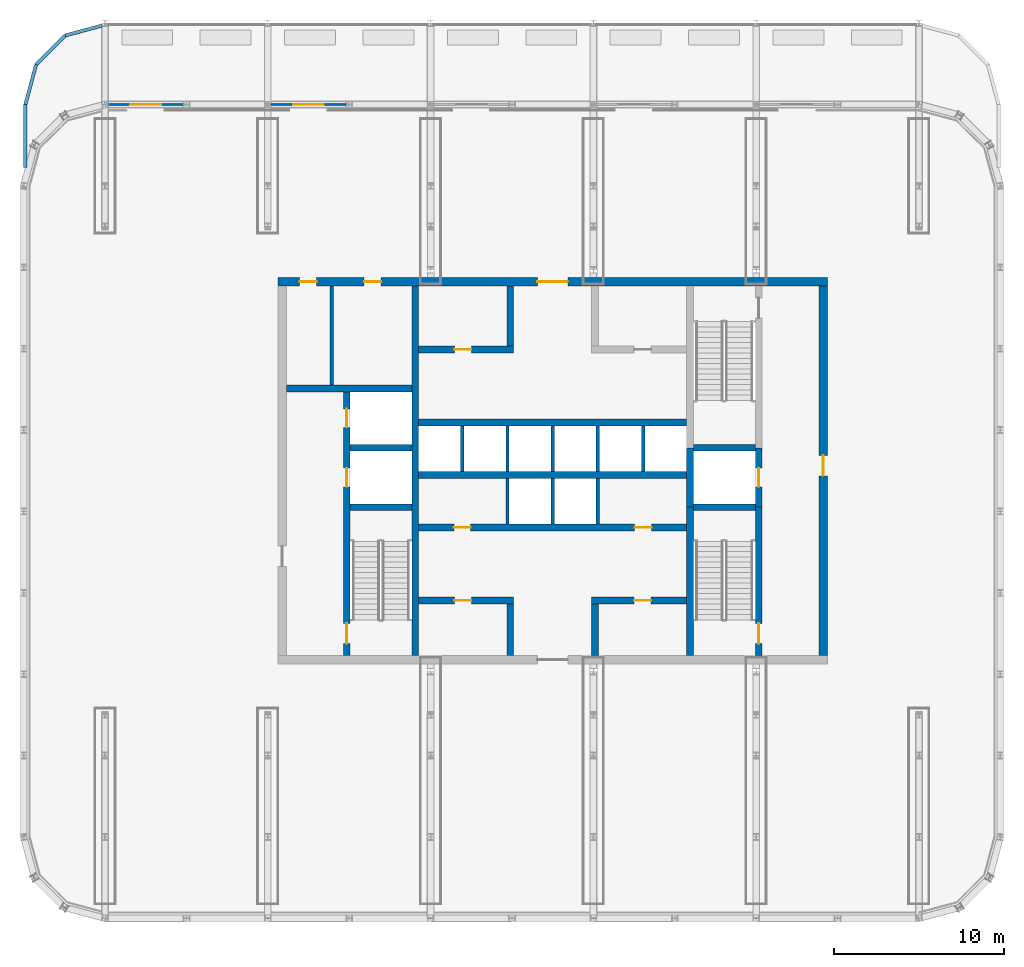
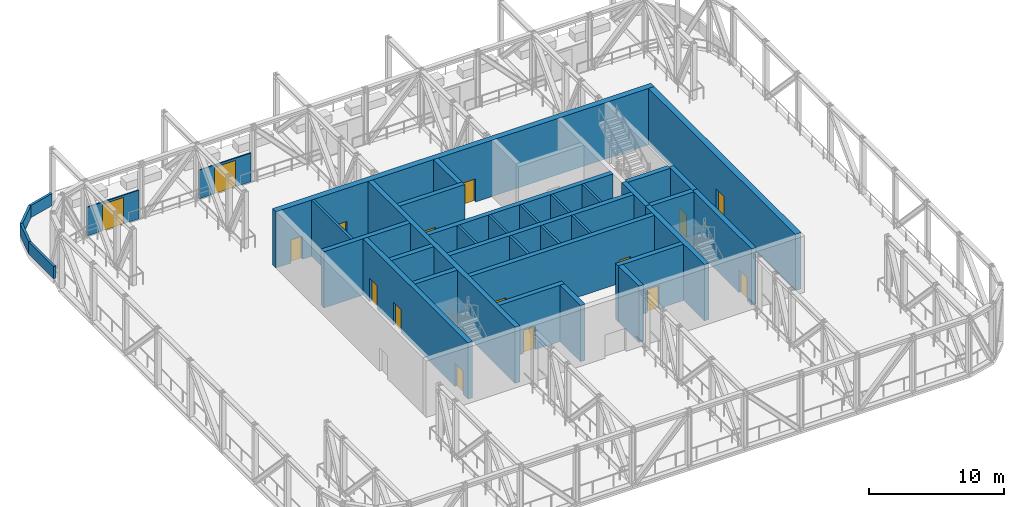
# One storey, part 9 of 16: 37 walls, 16 doors, 16 openings.
"""IFC4 building model written with IfcOpenShell, lengths in metres."""

from ifc_helpers import new_model, si_unit, direction, frame, frame_2d, origin, place, context, subcontext, project, spatial, rectangle, extrude, material, layer, layer_set, type_object, element, fill, save


model = new_model("IFC4")

# Units and contexts
model_context = context("Model", 3, precision=1e-05, world=origin(), true_north=direction((0.0, 1.0)))
body_context = subcontext(model_context, "Body", "Model", "MODEL_VIEW")
ifc_project = project(units=[si_unit("LENGTHUNIT", "METRE"), si_unit("AREAUNIT", "SQUARE_METRE"), si_unit("VOLUMEUNIT", "CUBIC_METRE"), si_unit("PLANEANGLEUNIT", "RADIAN"), si_unit("MASSUNIT", "GRAM", prefix="KILO")], contexts=[model_context])

# Site, building, storey
site_placement = place(None, origin())
site = spatial("IfcSite", under=ifc_project, at=site_placement, CompositionType="ELEMENT")
building_placement = place(site_placement, origin())
building = spatial("IfcBuilding", under=site, at=building_placement, Name="Madar Terraces", CompositionType="ELEMENT")
storey_placement = place(building_placement, frame((0.0, 0.0, 263.199951171875)))
storey = spatial("IfcBuildingStorey", under=building, at=storey_placement, Name="L69", CompositionType="ELEMENT", Elevation=263.199951171875)

# Wall, openings, doors
ifc_material_1 = material(Name="Concrete C50/60", Category="concrete")
ifc_layer_1 = layer(ifc_material_1, 0.39990234375)
ifc_layer_set_1 = layer_set([ifc_layer_1], Name="Concrete C50/60 (CIW6 RC wall 400)")
wall_type_1 = type_object("IfcWallType", Name="CIW6 RC wall 400", PredefinedType="SHEAR", material=ifc_layer_set_1)
wall_1_placement = place(storey_placement, frame((19.050048828125, 15.5, 0.0), z_axis=(0.0, 0.0, 1.0), x_axis=(0.0, 1.0, 0.0)))
wall_1 = element("IfcWall", 1, at=wall_1_placement, inside=storey, type_object=wall_type_1, Name="CORE SHAFT WALL", PredefinedType="SHEAR", context=body_context, shape_type="SweptSolid", body=[
    extrude(rectangle(XDim=15.550048828125, YDim=0.39990234375, at=frame_2d((7.77490234375, 0.0))), origin(), (0.0, 0.0, 1.0), 5.10009765625),
])
opening_1_placement = place(wall_1_placement, frame((9.949951171875, 0.0, 0.0)))
opening_1 = element("IfcOpeningElement", 2, at=opening_1_placement, cuts=wall_1, Name="Opening LD", PredefinedType="OPENING", context=body_context, shape_type="SweptSolid", body=[
    extrude(rectangle(XDim=1.10009765625, YDim=2.10009765625, at=frame_2d((0.550048828125, 1.050048828125))), frame((0.0, 0.2099609375, 0.0), z_axis=(0.0, -1.0, 0.0), x_axis=(1.0, 0.0, 0.0)), (0.0, 0.0, 1.0), 0.419921875),
])
opening_2_placement = place(wall_1_placement, frame((13.449951171875, 0.0, 0.0)))
opening_2 = element("IfcOpeningElement", 3, at=opening_2_placement, cuts=wall_1, Name="Opening LD", PredefinedType="OPENING", context=body_context, shape_type="SweptSolid", body=[
    extrude(rectangle(XDim=1.10009765625, YDim=2.10009765625, at=frame_2d((0.550048828125, 1.050048828125))), frame((0.0, 0.2099609375, 0.0), z_axis=(0.0, -1.0, 0.0), x_axis=(1.0, 0.0, 0.0)), (0.0, 0.0, 1.0), 0.419921875),
])
opening_3_placement = place(wall_1_placement, frame((0.699951171875, 0.0, 0.0)))
opening_3 = element("IfcOpeningElement", 4, at=opening_3_placement, cuts=wall_1, Name="Opening SD1", PredefinedType="OPENING", context=body_context, shape_type="SweptSolid", body=[
    extrude(rectangle(XDim=1.199951171875, YDim=2.10009765625, at=frame_2d((0.60009765625, 1.050048828125))), frame((0.0, 0.2099609375, 0.0), z_axis=(0.0, -1.0, 0.0), x_axis=(1.0, 0.0, 0.0)), (0.0, 0.0, 1.0), 0.419921875),
])
ifc_material_2 = material(Name="Stainless steel panel", Category="steel")
door_type_1 = type_object("IfcDoorType", Name="Lift landing door 1100 x 2100", OperationType="DOUBLE_DOOR_SLIDING", PredefinedType="DOOR", material=ifc_material_2)
door_1_placement = place(opening_1_placement, origin())
door_1 = element("IfcDoor", 5, at=door_1_placement, inside=storey, type_object=door_type_1, Name="LIFT LANDING DOOR", OperationType="DOUBLE_DOOR_SLIDING", OverallHeight=2.10009765625, OverallWidth=1.10009765625, PredefinedType="DOOR", context=body_context, shape_type="SweptSolid", body=[
    extrude(rectangle(XDim=1.10009765625, YDim=2.10009765625, at=frame_2d((0.550048828125, 1.050048828125))), frame((0.0, 0.02490234375, 0.0), z_axis=(0.0, -1.0, 0.0), x_axis=(1.0, 0.0, 0.0)), (0.0, 0.0, 1.0), 0.050048828125),
])
fill(opening_1, door_1)
door_2_placement = place(opening_2_placement, origin())
door_2 = element("IfcDoor", 6, at=door_2_placement, inside=storey, type_object=door_type_1, Name="LIFT LANDING DOOR", OperationType="DOUBLE_DOOR_SLIDING", OverallHeight=2.10009765625, OverallWidth=1.10009765625, PredefinedType="DOOR", context=body_context, shape_type="SweptSolid", body=[
    extrude(rectangle(XDim=1.10009765625, YDim=2.10009765625, at=frame_2d((0.550048828125, 1.050048828125))), frame((0.0, 0.02490234375, 0.0), z_axis=(0.0, -1.0, 0.0), x_axis=(1.0, 0.0, 0.0)), (0.0, 0.0, 1.0), 0.050048828125),
])
fill(opening_2, door_2)
ifc_material_3 = material(Name="Steel door leaf", Category="steel")
door_type_2 = type_object("IfcDoorType", Name="Stair door 1200 x 2100", OperationType="NOTDEFINED", PredefinedType="DOOR", material=ifc_material_3)
door_3_placement = place(opening_3_placement, frame((1.199951171875, 0.0, 0.0), z_axis=(0.0, 0.0, 1.0), x_axis=(-1.0, 0.0, 0.0)))
door_3 = element("IfcDoor", 7, at=door_3_placement, inside=storey, type_object=door_type_2, Name="STAIR DOOR", OperationType="SINGLE_SWING_LEFT", OverallHeight=2.10009765625, OverallWidth=1.199951171875, PredefinedType="DOOR", context=body_context, shape_type="SweptSolid", body=[
    extrude(rectangle(XDim=1.199951171875, YDim=2.10009765625, at=frame_2d((0.60009765625, 1.050048828125))), frame((0.0, 0.02490234375, 0.0), z_axis=(0.0, -1.0, 0.0), x_axis=(1.0, 0.0, 0.0)), (0.0, 0.0, 1.0), 0.050048828125),
])
fill(opening_3, door_3)

# Walls
wall_2_placement = place(storey_placement, frame((23.10009765625, 15.5, 0.0), z_axis=(0.0, 0.0, 1.0), x_axis=(0.0, 1.0, 0.0)))
element("IfcWall", 8, at=wall_2_placement, inside=storey, type_object=wall_type_1, Name="CORE SHAFT WALL", PredefinedType="SHEAR", context=body_context, shape_type="SweptSolid", body=[
    extrude(rectangle(XDim=21.800048828125, YDim=0.39990234375, at=frame_2d((10.89990234375, 0.0))), origin(), (0.0, 0.0, 1.0), 5.10009765625),
])
wall_3_placement = place(storey_placement, frame((39.300048828125, 15.5, 0.0), z_axis=(0.0, 0.0, 1.0), x_axis=(0.0, 1.0, 0.0)))
element("IfcWall", 9, at=wall_3_placement, inside=storey, type_object=wall_type_1, Name="CORE SHAFT WALL", PredefinedType="SHEAR", context=body_context, shape_type="SweptSolid", body=[
    extrude(rectangle(XDim=8.75, YDim=0.39990234375, at=frame_2d((4.375, 0.0))), origin(), (0.0, 0.0, 1.0), 5.10009765625),
])
wall_4_placement = place(storey_placement, frame((39.300048828125, 24.25, 0.0), z_axis=(0.0, 0.0, 1.0), x_axis=(0.0, 1.0, 0.0)))
element("IfcWall", 10, at=wall_4_placement, inside=storey, type_object=wall_type_1, Name="CORE SHAFT WALL", PredefinedType="SHEAR", context=body_context, shape_type="SweptSolid", body=[
    extrude(rectangle(XDim=3.5, YDim=0.39990234375, at=frame_2d((1.75, 0.0))), origin(), (0.0, 0.0, 1.0), 5.10009765625),
])

# Wall, opening, door
wall_5_placement = place(storey_placement, frame((43.35009765625, 15.5, 0.0), z_axis=(0.0, 0.0, 1.0), x_axis=(0.0, 1.0, 0.0)))
wall_5 = element("IfcWall", 11, at=wall_5_placement, inside=storey, type_object=wall_type_1, Name="CORE SHAFT WALL", PredefinedType="SHEAR", context=body_context, shape_type="SweptSolid", body=[
    extrude(rectangle(XDim=8.75, YDim=0.39990234375, at=frame_2d((4.375, 0.0))), origin(), (0.0, 0.0, 1.0), 5.10009765625),
])
opening_4_placement = place(wall_5_placement, frame((0.699951171875, 0.0, 0.0)))
opening_4 = element("IfcOpeningElement", 12, at=opening_4_placement, cuts=wall_5, Name="Opening SD1", PredefinedType="OPENING", context=body_context, shape_type="SweptSolid", body=[
    extrude(rectangle(XDim=1.199951171875, YDim=2.10009765625, at=frame_2d((0.60009765625, 1.050048828125))), frame((0.0, 0.2099609375, 0.0), z_axis=(0.0, -1.0, 0.0), x_axis=(1.0, 0.0, 0.0)), (0.0, 0.0, 1.0), 0.419921875),
])
door_4_placement = place(opening_4_placement, origin())
door_4 = element("IfcDoor", 13, at=door_4_placement, inside=storey, type_object=door_type_2, Name="STAIR DOOR", OperationType="SINGLE_SWING_RIGHT", OverallHeight=2.10009765625, OverallWidth=1.199951171875, PredefinedType="DOOR", context=body_context, shape_type="SweptSolid", body=[
    extrude(rectangle(XDim=1.199951171875, YDim=2.10009765625, at=frame_2d((0.60009765625, 1.050048828125))), frame((0.0, 0.02490234375, 0.0), z_axis=(0.0, -1.0, 0.0), x_axis=(1.0, 0.0, 0.0)), (0.0, 0.0, 1.0), 0.050048828125),
])
fill(opening_4, door_4)

wall_6_placement = place(storey_placement, frame((43.35009765625, 24.25, 0.0), z_axis=(0.0, 0.0, 1.0), x_axis=(0.0, 1.0, 0.0)))
wall_6 = element("IfcWall", 14, at=wall_6_placement, inside=storey, type_object=wall_type_1, Name="CORE SHAFT WALL", PredefinedType="SHEAR", context=body_context, shape_type="SweptSolid", body=[
    extrude(rectangle(XDim=3.5, YDim=0.39990234375, at=frame_2d((1.75, 0.0))), origin(), (0.0, 0.0, 1.0), 5.10009765625),
])
opening_5_placement = place(wall_6_placement, frame((1.199951171875, 0.0, 0.0)))
opening_5 = element("IfcOpeningElement", 15, at=opening_5_placement, cuts=wall_6, Name="Opening LD", PredefinedType="OPENING", context=body_context, shape_type="SweptSolid", body=[
    extrude(rectangle(XDim=1.10009765625, YDim=2.10009765625, at=frame_2d((0.550048828125, 1.050048828125))), frame((0.0, 0.2099609375, 0.0), z_axis=(0.0, -1.0, 0.0), x_axis=(1.0, 0.0, 0.0)), (0.0, 0.0, 1.0), 0.419921875),
])
door_5_placement = place(opening_5_placement, origin())
door_5 = element("IfcDoor", 16, at=door_5_placement, inside=storey, type_object=door_type_1, Name="LIFT LANDING DOOR", OperationType="DOUBLE_DOOR_SLIDING", OverallHeight=2.10009765625, OverallWidth=1.10009765625, PredefinedType="DOOR", context=body_context, shape_type="SweptSolid", body=[
    extrude(rectangle(XDim=1.10009765625, YDim=2.10009765625, at=frame_2d((0.550048828125, 1.050048828125))), frame((0.0, 0.02490234375, 0.0), z_axis=(0.0, -1.0, 0.0), x_axis=(1.0, 0.0, 0.0)), (0.0, 0.0, 1.0), 0.050048828125),
])
fill(opening_5, door_5)

# Walls
for number, where, z_axis, x_axis, name in (
    (17, (19.25, 24.25, 0.0), (0.0, 0.0, 1.0), (1.0, 0.0, 0.0), "CORE SHAFT WALL"),
    (18, (19.25, 27.75, 0.0), (0.0, 0.0, 1.0), (1.0, 0.0, 0.0), "CORE SHAFT WALL"),
):
    element("IfcWall", number, at=place(storey_placement, frame(where, z_axis=z_axis, x_axis=x_axis)), inside=storey, type_object=wall_type_1, Name=name, PredefinedType="SHEAR", context=body_context, shape_type="SweptSolid", body=[
        extrude(rectangle(XDim=3.64990234375, YDim=0.39990234375, at=frame_2d((1.824951171875, 0.0))), origin(), (0.0, 0.0, 1.0), 5.10009765625),
    ])
wall_7_placement = place(storey_placement, frame((15.5, 31.25, 0.0), z_axis=(0.0, 0.0, 1.0), x_axis=(1.0, 0.0, 0.0)))
element("IfcWall", 19, at=wall_7_placement, inside=storey, type_object=wall_type_1, Name="CORE SHAFT WALL", PredefinedType="SHEAR", context=body_context, shape_type="SweptSolid", body=[
    extrude(rectangle(XDim=7.39990234375, YDim=0.39990234375, at=frame_2d((3.699951171875, 0.0))), origin(), (0.0, 0.0, 1.0), 5.10009765625),
])
for number, where, z_axis, x_axis, name in (
    (20, (39.5, 24.25, 0.0), (0.0, 0.0, 1.0), (1.0, 0.0, 0.0), "CORE SHAFT WALL"),
    (21, (39.5, 27.75, 0.0), (0.0, 0.0, 1.0), (1.0, 0.0, 0.0), "CORE SHAFT WALL"),
):
    element("IfcWall", number, at=place(storey_placement, frame(where, z_axis=z_axis, x_axis=x_axis)), inside=storey, type_object=wall_type_1, Name=name, PredefinedType="SHEAR", context=body_context, shape_type="SweptSolid", body=[
        extrude(rectangle(XDim=3.64990234375, YDim=0.39990234375, at=frame_2d((1.824951171875, 0.0))), origin(), (0.0, 0.0, 1.0), 5.10009765625),
    ])

# Wall, opening, door
wall_8_placement = place(storey_placement, frame((23.300048828125, 18.75, 0.0), z_axis=(0.0, 0.0, 1.0), x_axis=(1.0, 0.0, 0.0)))
wall_8 = element("IfcWall", 22, at=wall_8_placement, inside=storey, type_object=wall_type_1, Name="CORE SHAFT WALL", PredefinedType="SHEAR", context=body_context, shape_type="SweptSolid", body=[
    extrude(rectangle(XDim=5.599853515625, YDim=0.39990234375, at=frame_2d((2.7998046875, 0.0))), origin(), (0.0, 0.0, 1.0), 5.10009765625),
])
opening_6_placement = place(wall_8_placement, frame((2.10009765625, 0.0, 0.0)))
opening_6 = element("IfcOpeningElement", 23, at=opening_6_placement, cuts=wall_8, Name="Opening KD2", PredefinedType="OPENING", context=body_context, shape_type="SweptSolid", body=[
    extrude(rectangle(XDim=1.0, YDim=2.10009765625, at=frame_2d((0.5, 1.050048828125))), frame((0.0, 0.2099609375, 0.0), z_axis=(0.0, -1.0, 0.0), x_axis=(1.0, 0.0, 0.0)), (0.0, 0.0, 1.0), 0.419921875),
])
ifc_material_4 = material(Name="Steel door leaf", Category="steel")
door_type_3 = type_object("IfcDoorType", Name="Service room door 1000 x 2100", OperationType="NOTDEFINED", PredefinedType="DOOR", material=ifc_material_4)
door_6_placement = place(opening_6_placement, origin())
door_6 = element("IfcDoor", 24, at=door_6_placement, inside=storey, type_object=door_type_3, Name="SERVICE ROOM DOOR", OperationType="SINGLE_SWING_RIGHT", OverallHeight=2.10009765625, OverallWidth=1.0, PredefinedType="DOOR", context=body_context, shape_type="SweptSolid", body=[
    extrude(rectangle(XDim=1.0, YDim=2.10009765625, at=frame_2d((0.5, 1.050048828125))), frame((0.0, 0.02490234375, 0.0), z_axis=(0.0, -1.0, 0.0), x_axis=(1.0, 0.0, 0.0)), (0.0, 0.0, 1.0), 0.050048828125),
])
fill(opening_6, door_6)

wall_9_placement = place(storey_placement, frame((33.5, 18.75, 0.0), z_axis=(0.0, 0.0, 1.0), x_axis=(1.0, 0.0, 0.0)))
wall_9 = element("IfcWall", 25, at=wall_9_placement, inside=storey, type_object=wall_type_1, Name="CORE SHAFT WALL", PredefinedType="SHEAR", context=body_context, shape_type="SweptSolid", body=[
    extrude(rectangle(XDim=5.60009765625, YDim=0.39990234375, at=frame_2d((2.800048828125, 0.0))), origin(), (0.0, 0.0, 1.0), 5.10009765625),
])
opening_7_placement = place(wall_9_placement, frame((2.5, 0.0, 0.0)))
opening_7 = element("IfcOpeningElement", 26, at=opening_7_placement, cuts=wall_9, Name="Opening KD2", PredefinedType="OPENING", context=body_context, shape_type="SweptSolid", body=[
    extrude(rectangle(XDim=1.0, YDim=2.10009765625, at=frame_2d((0.5, 1.050048828125))), frame((0.0, 0.2099609375, 0.0), z_axis=(0.0, -1.0, 0.0), x_axis=(1.0, 0.0, 0.0)), (0.0, 0.0, 1.0), 0.419921875),
])
door_7_placement = place(opening_7_placement, origin())
door_7 = element("IfcDoor", 27, at=door_7_placement, inside=storey, type_object=door_type_3, Name="SERVICE ROOM DOOR", OperationType="SINGLE_SWING_LEFT", OverallHeight=2.10009765625, OverallWidth=1.0, PredefinedType="DOOR", context=body_context, shape_type="SweptSolid", body=[
    extrude(rectangle(XDim=1.0, YDim=2.10009765625, at=frame_2d((0.5, 1.050048828125))), frame((0.0, 0.02490234375, 0.0), z_axis=(0.0, -1.0, 0.0), x_axis=(1.0, 0.0, 0.0)), (0.0, 0.0, 1.0), 0.050048828125),
])
fill(opening_7, door_7)

# Wall, openings, doors
wall_10_placement = place(storey_placement, frame((23.300048828125, 23.050048828125, 0.0), z_axis=(0.0, 0.0, 1.0), x_axis=(1.0, 0.0, 0.0)))
wall_10 = element("IfcWall", 28, at=wall_10_placement, inside=storey, type_object=wall_type_1, Name="CORE SHAFT WALL", PredefinedType="SHEAR", context=body_context, shape_type="SweptSolid", body=[
    extrude(rectangle(XDim=15.800048828125, YDim=0.39990234375, at=frame_2d((7.89990234375, 0.0))), origin(), (0.0, 0.0, 1.0), 5.10009765625),
])
opening_8_placement = place(wall_10_placement, frame((2.066650390625, 0.0, 0.0)))
opening_8 = element("IfcOpeningElement", 29, at=opening_8_placement, cuts=wall_10, Name="Opening KD2", PredefinedType="OPENING", context=body_context, shape_type="SweptSolid", body=[
    extrude(rectangle(XDim=1.0, YDim=2.10009765625, at=frame_2d((0.5, 1.050048828125))), frame((0.0, 0.2099609375, 0.0), z_axis=(0.0, -1.0, 0.0), x_axis=(1.0, 0.0, 0.0)), (0.0, 0.0, 1.0), 0.419921875),
])
opening_9_placement = place(wall_10_placement, frame((12.7333984375, 0.0, 0.0)))
opening_9 = element("IfcOpeningElement", 30, at=opening_9_placement, cuts=wall_10, Name="Opening KD2", PredefinedType="OPENING", context=body_context, shape_type="SweptSolid", body=[
    extrude(rectangle(XDim=1.0, YDim=2.10009765625, at=frame_2d((0.5, 1.050048828125))), frame((0.0, 0.2099609375, 0.0), z_axis=(0.0, -1.0, 0.0), x_axis=(1.0, 0.0, 0.0)), (0.0, 0.0, 1.0), 0.419921875),
])
door_8_placement = place(opening_8_placement, frame((1.0, 0.0, 0.0), z_axis=(0.0, 0.0, 1.0), x_axis=(-1.0, 0.0, 0.0)))
door_8 = element("IfcDoor", 31, at=door_8_placement, inside=storey, type_object=door_type_3, Name="SERVICE ROOM DOOR", OperationType="SINGLE_SWING_RIGHT", OverallHeight=2.10009765625, OverallWidth=1.0, PredefinedType="DOOR", context=body_context, shape_type="SweptSolid", body=[
    extrude(rectangle(XDim=1.0, YDim=2.10009765625, at=frame_2d((0.5, 1.050048828125))), frame((0.0, 0.02490234375, 0.0), z_axis=(0.0, -1.0, 0.0), x_axis=(1.0, 0.0, 0.0)), (0.0, 0.0, 1.0), 0.050048828125),
])
fill(opening_8, door_8)
door_9_placement = place(opening_9_placement, frame((1.0, 0.0, 0.0), z_axis=(0.0, 0.0, 1.0), x_axis=(-1.0, 0.0, 0.0)))
door_9 = element("IfcDoor", 32, at=door_9_placement, inside=storey, type_object=door_type_3, Name="SERVICE ROOM DOOR", OperationType="SINGLE_SWING_LEFT", OverallHeight=2.10009765625, OverallWidth=1.0, PredefinedType="DOOR", context=body_context, shape_type="SweptSolid", body=[
    extrude(rectangle(XDim=1.0, YDim=2.10009765625, at=frame_2d((0.5, 1.050048828125))), frame((0.0, 0.02490234375, 0.0), z_axis=(0.0, -1.0, 0.0), x_axis=(1.0, 0.0, 0.0)), (0.0, 0.0, 1.0), 0.050048828125),
])
fill(opening_9, door_9)

# Walls
for number, where, z_axis, x_axis, name in (
    (33, (23.300048828125, 26.14990234375, 0.0), (0.0, 0.0, 1.0), (1.0, 0.0, 0.0), "CORE SHAFT WALL"),
    (34, (23.300048828125, 29.25, 0.0), (0.0, 0.0, 1.0), (1.0, 0.0, 0.0), "CORE SHAFT WALL"),
):
    element("IfcWall", number, at=place(storey_placement, frame(where, z_axis=z_axis, x_axis=x_axis)), inside=storey, type_object=wall_type_1, Name=name, PredefinedType="SHEAR", context=body_context, shape_type="SweptSolid", body=[
        extrude(rectangle(XDim=15.800048828125, YDim=0.39990234375, at=frame_2d((7.89990234375, 0.0))), origin(), (0.0, 0.0, 1.0), 5.10009765625),
    ])

# Wall, opening, door
wall_11_placement = place(storey_placement, frame((23.300048828125, 33.550048828125, 0.0), z_axis=(0.0, 0.0, 1.0), x_axis=(1.0, 0.0, 0.0)))
wall_11 = element("IfcWall", 35, at=wall_11_placement, inside=storey, type_object=wall_type_1, Name="CORE SHAFT WALL", PredefinedType="SHEAR", context=body_context, shape_type="SweptSolid", body=[
    extrude(rectangle(XDim=5.599853515625, YDim=0.39990234375, at=frame_2d((2.7998046875, 0.0))), origin(), (0.0, 0.0, 1.0), 5.10009765625),
])
opening_10_placement = place(wall_11_placement, frame((2.10009765625, 0.0, 0.0)))
opening_10 = element("IfcOpeningElement", 36, at=opening_10_placement, cuts=wall_11, Name="Opening KD2", PredefinedType="OPENING", context=body_context, shape_type="SweptSolid", body=[
    extrude(rectangle(XDim=1.0, YDim=2.10009765625, at=frame_2d((0.5, 1.050048828125))), frame((0.0, 0.2099609375, 0.0), z_axis=(0.0, -1.0, 0.0), x_axis=(1.0, 0.0, 0.0)), (0.0, 0.0, 1.0), 0.419921875),
])
door_10_placement = place(opening_10_placement, frame((1.0, 0.0, 0.0), z_axis=(0.0, 0.0, 1.0), x_axis=(-1.0, 0.0, 0.0)))
door_10 = element("IfcDoor", 37, at=door_10_placement, inside=storey, type_object=door_type_3, Name="SERVICE ROOM DOOR", OperationType="SINGLE_SWING_RIGHT", OverallHeight=2.10009765625, OverallWidth=1.0, PredefinedType="DOOR", context=body_context, shape_type="SweptSolid", body=[
    extrude(rectangle(XDim=1.0, YDim=2.10009765625, at=frame_2d((0.5, 1.050048828125))), frame((0.0, 0.02490234375, 0.0), z_axis=(0.0, -1.0, 0.0), x_axis=(1.0, 0.0, 0.0)), (0.0, 0.0, 1.0), 0.050048828125),
])
fill(opening_10, door_10)

# Walls
for number, where, z_axis, x_axis, name in (
    (38, (28.699951171875, 15.5, 0.0), (0.0, 0.0, 1.0), (0.0, 1.0, 0.0), "CORE SHAFT WALL"),
    (39, (33.699951171875, 15.5, 0.0), (0.0, 0.0, 1.0), (0.0, 1.0, 0.0), "CORE SHAFT WALL"),
):
    element("IfcWall", number, at=place(storey_placement, frame(where, z_axis=z_axis, x_axis=x_axis)), inside=storey, type_object=wall_type_1, Name=name, PredefinedType="SHEAR", context=body_context, shape_type="SweptSolid", body=[
        extrude(rectangle(XDim=3.050048828125, YDim=0.39990234375, at=frame_2d((1.52490234375, 0.0))), origin(), (0.0, 0.0, 1.0), 5.10009765625),
    ])
wall_12_placement = place(storey_placement, frame((28.699951171875, 33.75, 0.0), z_axis=(0.0, 0.0, 1.0), x_axis=(0.0, 1.0, 0.0)))
element("IfcWall", 40, at=wall_12_placement, inside=storey, type_object=wall_type_1, Name="CORE SHAFT WALL", PredefinedType="SHEAR", context=body_context, shape_type="SweptSolid", body=[
    extrude(rectangle(XDim=3.550048828125, YDim=0.39990234375, at=frame_2d((1.77490234375, 0.0))), origin(), (0.0, 0.0, 1.0), 5.10009765625),
])

# Wall, openings, doors
ifc_material_5 = material(Name="Concrete C50/60", Category="concrete")
ifc_layer_2 = layer(ifc_material_5, 0.5)
ifc_layer_set_2 = layer_set([ifc_layer_2], Name="Concrete C50/60 (CRW6 RC wall 500)")
wall_type_2 = type_object("IfcWallType", Name="CRW6 RC wall 500", PredefinedType="SHEAR", material=ifc_layer_set_2)
wall_13_placement = place(storey_placement, frame((15.0, 37.550048828125, 0.0), z_axis=(0.0, 0.0, 1.0), x_axis=(1.0, 0.0, 0.0)))
wall_13 = element("IfcWall", 41, at=wall_13_placement, inside=storey, type_object=wall_type_2, Name="CORE OUTER WALL", PredefinedType="SHEAR", context=body_context, shape_type="SweptSolid", body=[
    extrude(rectangle(XDim=32.39990234375, YDim=0.5, at=frame_2d((16.199951171875, 0.0))), origin(), (0.0, 0.0, 1.0), 5.10009765625),
])
opening_11_placement = place(wall_13_placement, frame((15.300048828125, 0.0, 0.0)))
opening_11 = element("IfcOpeningElement", 42, at=opening_11_placement, cuts=wall_13, Name="Opening KD1", PredefinedType="OPENING", context=body_context, shape_type="SweptSolid", body=[
    extrude(rectangle(XDim=1.800048828125, YDim=2.10009765625, at=frame_2d((0.89990234375, 1.050048828125))), frame((0.0, 0.260009765625, 0.0), z_axis=(0.0, -1.0, 0.0), x_axis=(1.0, 0.0, 0.0)), (0.0, 0.0, 1.0), 0.52001953125),
])
opening_12_placement = place(wall_13_placement, frame((1.281982421875, 0.0, 0.0)))
opening_12 = element("IfcOpeningElement", 43, at=opening_12_placement, cuts=wall_13, Name="Opening KD2", PredefinedType="OPENING", context=body_context, shape_type="SweptSolid", body=[
    extrude(rectangle(XDim=1.0, YDim=2.10009765625, at=frame_2d((0.5, 1.050048828125))), frame((0.0, 0.260009765625, 0.0), z_axis=(0.0, -1.0, 0.0), x_axis=(1.0, 0.0, 0.0)), (0.0, 0.0, 1.0), 0.52001953125),
])
opening_13_placement = place(wall_13_placement, frame((5.08203125, 0.0, 0.0)))
opening_13 = element("IfcOpeningElement", 44, at=opening_13_placement, cuts=wall_13, Name="Opening KD2", PredefinedType="OPENING", context=body_context, shape_type="SweptSolid", body=[
    extrude(rectangle(XDim=1.0, YDim=2.10009765625, at=frame_2d((0.5, 1.050048828125))), frame((0.0, 0.260009765625, 0.0), z_axis=(0.0, -1.0, 0.0), x_axis=(1.0, 0.0, 0.0)), (0.0, 0.0, 1.0), 0.52001953125),
])
ifc_material_6 = material(Name="Steel door leaf", Category="steel")
door_type_4 = type_object("IfcDoorType", Name="Lobby door pair 1800 x 2100", OperationType="DOUBLE_DOOR_SINGLE_SWING", PredefinedType="DOOR", material=ifc_material_6)
door_11_placement = place(opening_11_placement, origin())
door_11 = element("IfcDoor", 45, at=door_11_placement, inside=storey, type_object=door_type_4, Name="LIFT LOBBY DOOR", OperationType="DOUBLE_DOOR_SINGLE_SWING", OverallHeight=2.10009765625, OverallWidth=1.800048828125, PredefinedType="DOOR", context=body_context, shape_type="SweptSolid", body=[
    extrude(rectangle(XDim=1.800048828125, YDim=2.10009765625, at=frame_2d((0.89990234375, 1.050048828125))), frame((0.0, 0.02490234375, 0.0), z_axis=(0.0, -1.0, 0.0), x_axis=(1.0, 0.0, 0.0)), (0.0, 0.0, 1.0), 0.050048828125),
])
fill(opening_11, door_11)
door_12_placement = place(opening_12_placement, origin())
door_12 = element("IfcDoor", 46, at=door_12_placement, inside=storey, type_object=door_type_3, Name="SERVICE ROOM DOOR", OperationType="SINGLE_SWING_RIGHT", OverallHeight=2.10009765625, OverallWidth=1.0, PredefinedType="DOOR", context=body_context, shape_type="SweptSolid", body=[
    extrude(rectangle(XDim=1.0, YDim=2.10009765625, at=frame_2d((0.5, 1.050048828125))), frame((0.0, 0.02490234375, 0.0), z_axis=(0.0, -1.0, 0.0), x_axis=(1.0, 0.0, 0.0)), (0.0, 0.0, 1.0), 0.050048828125),
])
fill(opening_12, door_12)
door_13_placement = place(opening_13_placement, origin())
door_13 = element("IfcDoor", 47, at=door_13_placement, inside=storey, type_object=door_type_3, Name="SERVICE ROOM DOOR", OperationType="SINGLE_SWING_LEFT", OverallHeight=2.10009765625, OverallWidth=1.0, PredefinedType="DOOR", context=body_context, shape_type="SweptSolid", body=[
    extrude(rectangle(XDim=1.0, YDim=2.10009765625, at=frame_2d((0.5, 1.050048828125))), frame((0.0, 0.02490234375, 0.0), z_axis=(0.0, -1.0, 0.0), x_axis=(1.0, 0.0, 0.0)), (0.0, 0.0, 1.0), 0.050048828125),
])
fill(opening_13, door_13)

# Wall, opening, door
wall_14_placement = place(storey_placement, frame((47.14990234375, 15.5, 0.0), z_axis=(0.0, 0.0, 1.0), x_axis=(0.0, 1.0, 0.0)))
wall_14 = element("IfcWall", 48, at=wall_14_placement, inside=storey, type_object=wall_type_2, Name="CORE OUTER WALL", PredefinedType="SHEAR", context=body_context, shape_type="SweptSolid", body=[
    extrude(rectangle(XDim=21.800048828125, YDim=0.5, at=frame_2d((10.89990234375, 0.0))), origin(), (0.0, 0.0, 1.0), 5.10009765625),
])
opening_14_placement = place(wall_14_placement, frame((10.60009765625, 0.0, 0.0)))
opening_14 = element("IfcOpeningElement", 49, at=opening_14_placement, cuts=wall_14, Name="Opening SD1", PredefinedType="OPENING", context=body_context, shape_type="SweptSolid", body=[
    extrude(rectangle(XDim=1.199951171875, YDim=2.10009765625, at=frame_2d((0.60009765625, 1.050048828125))), frame((0.0, 0.260009765625, 0.0), z_axis=(0.0, -1.0, 0.0), x_axis=(1.0, 0.0, 0.0)), (0.0, 0.0, 1.0), 0.52001953125),
])
door_14_placement = place(opening_14_placement, origin())
door_14 = element("IfcDoor", 50, at=door_14_placement, inside=storey, type_object=door_type_2, Name="STAIR DOOR", OperationType="SINGLE_SWING_LEFT", OverallHeight=2.10009765625, OverallWidth=1.199951171875, PredefinedType="DOOR", context=body_context, shape_type="SweptSolid", body=[
    extrude(rectangle(XDim=1.199951171875, YDim=2.10009765625, at=frame_2d((0.60009765625, 1.050048828125))), frame((0.0, 0.02490234375, 0.0), z_axis=(0.0, -1.0, 0.0), x_axis=(1.0, 0.0, 0.0)), (0.0, 0.0, 1.0), 0.050048828125),
])
fill(opening_14, door_14)

# Walls
ifc_material_7 = material(Name="Masonry blockwork", Category="masonry")
ifc_layer_3 = layer(ifc_material_7, 0.199951171875)
ifc_layer_set_3 = layer_set([ifc_layer_3], Name="Core partition 200 blockwork")
wall_type_3 = type_object("IfcWallType", Name="Core partition 200 blockwork", PredefinedType="PARTITIONING", material=ifc_layer_set_3)
wall_15_placement = place(storey_placement, frame((18.1640625, 31.449951171875, 0.0), z_axis=(0.0, 0.0, 1.0), x_axis=(0.0, 1.0, 0.0)))
element("IfcWall", 51, at=wall_15_placement, inside=storey, type_object=wall_type_3, Name="SERVICE ROOM PARTITION", PredefinedType="PARTITIONING", context=body_context, shape_type="SweptSolid", body=[
    extrude(rectangle(XDim=5.85009765625, YDim=0.199951171875, at=frame_2d((2.925048828125, 0.0))), origin(), (0.0, 0.0, 1.0), 5.10009765625),
])
ifc_material_8 = material(Name="Concrete C40/50", Category="concrete")
ifc_layer_4 = layer(ifc_material_8, 0.199951171875)
ifc_layer_set_4 = layer_set([ifc_layer_4], Name="Core shaft dividing wall 200 C40/50")
wall_type_4 = type_object("IfcWallType", Name="Core shaft dividing wall 200 C40/50", PredefinedType="SOLIDWALL", material=ifc_layer_set_4)
for number, where, z_axis, x_axis, name in (
    (52, (25.86669921875, 26.35009765625, 0.0), (0.0, 0.0, 1.0), (0.0, 1.0, 0.0), "SHAFT DIVIDING WALL"),
    (53, (28.533447265625, 23.25, 0.0), (0.0, 0.0, 1.0), (0.0, 1.0, 0.0), "SHAFT DIVIDING WALL"),
    (54, (28.533447265625, 26.35009765625, 0.0), (0.0, 0.0, 1.0), (0.0, 1.0, 0.0), "SHAFT DIVIDING WALL"),
    (55, (31.199951171875, 23.25, 0.0), (0.0, 0.0, 1.0), (0.0, 1.0, 0.0), "SHAFT DIVIDING WALL"),
    (56, (31.199951171875, 26.35009765625, 0.0), (0.0, 0.0, 1.0), (0.0, 1.0, 0.0), "SHAFT DIVIDING WALL"),
    (57, (33.86669921875, 23.25, 0.0), (0.0, 0.0, 1.0), (0.0, 1.0, 0.0), "SHAFT DIVIDING WALL"),
    (58, (33.86669921875, 26.35009765625, 0.0), (0.0, 0.0, 1.0), (0.0, 1.0, 0.0), "SHAFT DIVIDING WALL"),
    (59, (36.533447265625, 26.35009765625, 0.0), (0.0, 0.0, 1.0), (0.0, 1.0, 0.0), "SHAFT DIVIDING WALL"),
):
    element("IfcWall", number, at=place(storey_placement, frame(where, z_axis=z_axis, x_axis=x_axis)), inside=storey, type_object=wall_type_4, Name=name, PredefinedType="SOLIDWALL", context=body_context, shape_type="SweptSolid", body=[
        extrude(rectangle(XDim=2.699951171875, YDim=0.199951171875, at=frame_2d((1.35009765625, 0.0))), origin(), (0.0, 0.0, 1.0), 5.10009765625),
    ])
ifc_material_9 = material(Name="Concrete C40/50", Category="concrete")
ifc_layer_5 = layer(ifc_material_9, 0.199951171875)
ifc_layer_set_5 = layer_set([ifc_layer_5], Name="Roof parapet 200")
wall_type_5 = type_object("IfcWallType", Name="Roof parapet 200", PredefinedType="PARAPET", material=ifc_layer_set_5)
wall_16_placement = place(storey_placement, frame((4.621826171875, 52.65234375, 0.0400390625), z_axis=(0.0, 0.0, 1.0), x_axis=(-0.965917031279, -0.258851866296, 0.0)))
element("IfcWall", 60, at=wall_16_placement, inside=storey, type_object=wall_type_5, Name="Roof parapet", PredefinedType="PARAPET", context=body_context, shape_type="SweptSolid", body=[
    extrude(rectangle(XDim=2.24853515625, YDim=0.199951171875, at=frame_2d((1.124267578125, 0.0))), origin(), (0.0, 0.0, 1.0), 1.10009765625),
])
for number, where, z_axis, x_axis, name in (
    (61, (2.449951171875, 52.0703125, 0.0400390625), (0.0, 0.0, 1.0), (-0.707106781187, -0.707106781187, 0.0), "Roof parapet"),
    (62, (0.729736328125, 50.35009765625, 0.0400390625), (0.0, 0.0, 1.0), (-0.258792930722, -0.965932823238, 0.0), "Roof parapet"),
):
    element("IfcWall", number, at=place(storey_placement, frame(where, z_axis=z_axis, x_axis=x_axis)), inside=storey, type_object=wall_type_5, Name=name, PredefinedType="PARAPET", context=body_context, shape_type="SweptSolid", body=[
        extrude(rectangle(XDim=2.432861328125, YDim=0.199951171875, at=frame_2d((1.21630859375, 0.0))), origin(), (0.0, 0.0, 1.0), 1.10009765625),
    ])
wall_17_placement = place(storey_placement, frame((0.10009765625, 48.0, 0.0400390625), z_axis=(0.0, 0.0, 1.0), x_axis=(0.0, -1.0, 0.0)))
element("IfcWall", 63, at=wall_17_placement, inside=storey, type_object=wall_type_5, Name="Roof parapet", PredefinedType="PARAPET", context=body_context, shape_type="SweptSolid", body=[
    extrude(rectangle(XDim=3.70361328125, YDim=0.199951171875, at=frame_2d((1.851806640625, 0.0))), origin(), (0.0, 0.0, 1.0), 1.10009765625),
])

# Wall, opening, door
ifc_material_10 = material(Name="Steel S355, powder-coated", Category="steel")
ifc_layer_6 = layer(ifc_material_10, 0.10009765625)
ifc_layer_set_6 = layer_set([ifc_layer_6], Name="Terrace gate frame 100")
wall_type_6 = type_object("IfcWallType", Name="Terrace gate frame 100", PredefinedType="SOLIDWALL", material=ifc_layer_set_6)
wall_18_placement = place(storey_placement, frame((4.981689453125, 48.0, -0.0390625), z_axis=(0.0, 0.0, 1.0), x_axis=(1.0, 0.0, 0.0)))
wall_18 = element("IfcWall", 64, at=wall_18_placement, inside=storey, type_object=wall_type_6, Name="Terrace gate frame", PredefinedType="SOLIDWALL", context=body_context, shape_type="SweptSolid", body=[
    extrude(rectangle(XDim=4.436767578125, YDim=0.10009765625, at=frame_2d((2.21826171875, 0.0))), origin(), (0.0, 0.0, 1.0), 2.60009765625),
])
opening_15_placement = place(wall_18_placement, frame((1.318359375, 0.0, 0.0)))
opening_15 = element("IfcOpeningElement", 65, at=opening_15_placement, cuts=wall_18, Name="Opening ED9", PredefinedType="OPENING", context=body_context, shape_type="SweptSolid", body=[
    extrude(rectangle(XDim=1.800048828125, YDim=2.39990234375, at=frame_2d((0.89990234375, 1.199951171875))), frame((0.0, 0.06005859375, 0.0), z_axis=(0.0, -1.0, 0.0), x_axis=(1.0, 0.0, 0.0)), (0.0, 0.0, 1.0), 0.1201171875),
])
ifc_material_11 = material(Name="Steel, powder-coated, with safety glazing", Category="steel")
door_type_5 = type_object("IfcDoorType", Name="Terrace gate door 1800 x 2400", OperationType="NOTDEFINED", PredefinedType="DOOR", material=ifc_material_11)
door_15_placement = place(opening_15_placement, origin())
door_15 = element("IfcDoor", 66, at=door_15_placement, inside=storey, type_object=door_type_5, Name="Terrace gate", OperationType="DOUBLE_DOOR_SINGLE_SWING", OverallHeight=2.39990234375, OverallWidth=1.800048828125, PredefinedType="DOOR", context=body_context, shape_type="SweptSolid", body=[
    extrude(rectangle(XDim=1.800048828125, YDim=2.39990234375, at=frame_2d((0.89990234375, 1.199951171875))), frame((0.0, 0.02490234375, 0.0), z_axis=(0.0, -1.0, 0.0), x_axis=(1.0, 0.0, 0.0)), (0.0, 0.0, 1.0), 0.050048828125),
])
fill(opening_15, door_15)

wall_19_placement = place(storey_placement, frame((14.58154296875, 48.0, -0.0390625), z_axis=(0.0, 0.0, 1.0), x_axis=(1.0, 0.0, 0.0)))
wall_19 = element("IfcWall", 67, at=wall_19_placement, inside=storey, type_object=wall_type_6, Name="Terrace gate frame", PredefinedType="SOLIDWALL", context=body_context, shape_type="SweptSolid", body=[
    extrude(rectangle(XDim=4.436767578125, YDim=0.10009765625, at=frame_2d((2.21826171875, 0.0))), origin(), (0.0, 0.0, 1.0), 2.60009765625),
])
opening_16_placement = place(wall_19_placement, frame((1.318359375, 0.0, 0.0)))
opening_16 = element("IfcOpeningElement", 68, at=opening_16_placement, cuts=wall_19, Name="Opening ED9", PredefinedType="OPENING", context=body_context, shape_type="SweptSolid", body=[
    extrude(rectangle(XDim=1.800048828125, YDim=2.39990234375, at=frame_2d((0.89990234375, 1.199951171875))), frame((0.0, 0.06005859375, 0.0), z_axis=(0.0, -1.0, 0.0), x_axis=(1.0, 0.0, 0.0)), (0.0, 0.0, 1.0), 0.1201171875),
])
door_16_placement = place(opening_16_placement, origin())
door_16 = element("IfcDoor", 69, at=door_16_placement, inside=storey, type_object=door_type_5, Name="Terrace gate", OperationType="DOUBLE_DOOR_SINGLE_SWING", OverallHeight=2.39990234375, OverallWidth=1.800048828125, PredefinedType="DOOR", context=body_context, shape_type="SweptSolid", body=[
    extrude(rectangle(XDim=1.800048828125, YDim=2.39990234375, at=frame_2d((0.89990234375, 1.199951171875))), frame((0.0, 0.02490234375, 0.0), z_axis=(0.0, -1.0, 0.0), x_axis=(1.0, 0.0, 0.0)), (0.0, 0.0, 1.0), 0.050048828125),
])
fill(opening_16, door_16)

save(model, "model.ifc")
